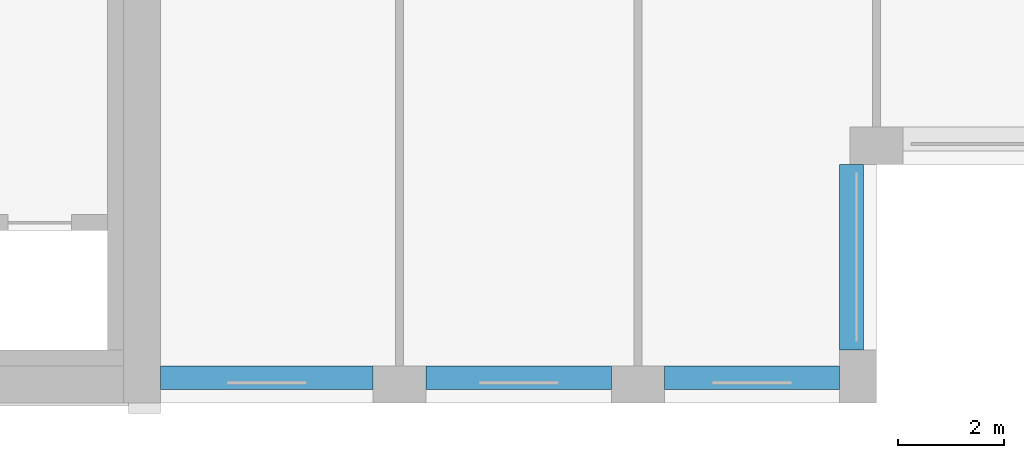
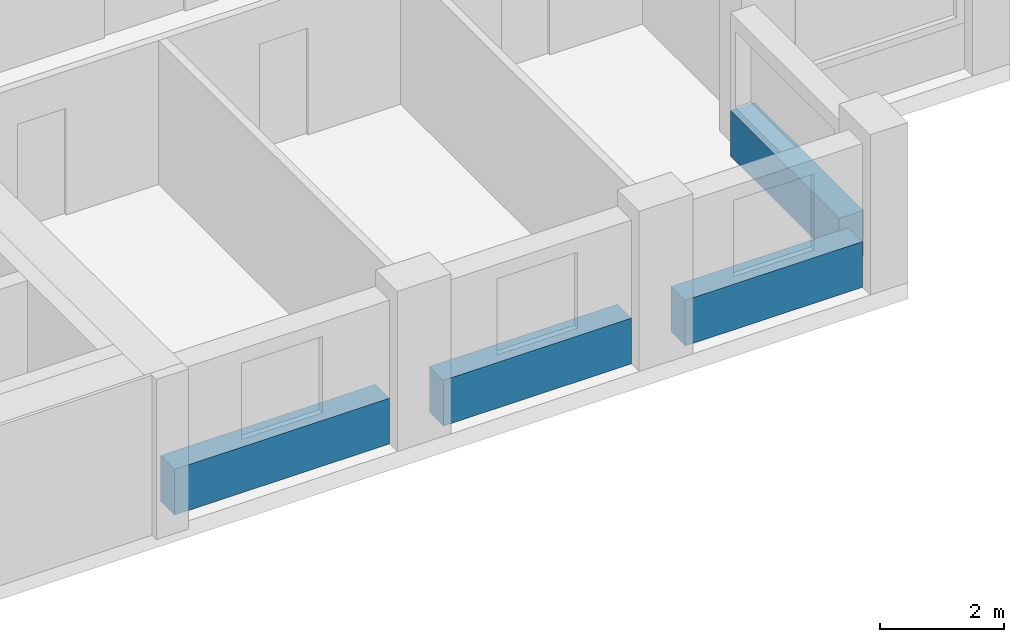
# One storey, part 3 of 15: 4 beams.
"""IFC4 building model written with IfcOpenShell, lengths in metres."""

import ifcopenshell
import ifcopenshell.guid

model = None  # the IFC model being written
_history = None  # IfcOwnerHistory: only IFC2X3 demands one
_inside = {}  # id of a spatial element -> (the spatial element, [elements in it])
_under = {}  # id of a project, library or spatial element -> (it, [spatial elements below it])
_declared = {}  # id of a project -> (the project, [libraries it declares])
_typed = {}  # id of a type object -> (the type object, [elements of that type])
_made_of = {}  # id of a material, layer set ... -> (it, [elements and type objects made of it])


def new_model(schema):
    """Start an empty IFC model of exactly this schema.

    Asked for "IFC4X3", IfcOpenShell would pick the latest addendum, in which some entities
    have other attributes; the version numbers below select the first issue.
    IFC2X3 requires an IfcOwnerHistory on every rooted entity: one is made here for all.
    """
    global model, _history
    if schema == "IFC4X3":
        model = ifcopenshell.file(schema_version=(4, 3, 0, 0))
    else:
        model = ifcopenshell.file(schema=schema)
    _inside.clear()
    _under.clear()
    _declared.clear()
    _typed.clear()
    _made_of.clear()
    _history = None
    if model.schema == "IFC2X3":
        org = make("IfcOrganization", Name="unknown")
        user = make(
            "IfcPersonAndOrganization",
            ThePerson=make("IfcPerson", FamilyName="unknown"),
            TheOrganization=org,
        )
        app = make(
            "IfcApplication",
            ApplicationDeveloper=org,
            Version="unknown",
            ApplicationFullName="unknown",
            ApplicationIdentifier="unknown",
        )
        _history = make(
            "IfcOwnerHistory",
            OwningUser=user,
            OwningApplication=app,
            ChangeAction="ADDED",
            CreationDate=0,
        )
    return model


def make(cls, **values):
    """One entity of the class cls with the attributes given. An attribute that is None is left unset."""
    return model.create_entity(
        cls, **{name: value for name, value in values.items() if value is not None}
    )


def rooted(cls, **values):
    """An entity with a GlobalId (a new one), such as an element, a storey or a relation."""
    return make(cls, GlobalId=ifcopenshell.guid.new(), OwnerHistory=_history, **values)


def si_unit(unit_type, name, prefix=None):
    """IfcSIUnit, for example si_unit("LENGTHUNIT", "METRE", prefix="MILLI")."""
    return make("IfcSIUnit", UnitType=unit_type, Prefix=prefix, Name=name)


def assignment(units):
    """IfcUnitAssignment: the units of a project."""
    return None if units is None else make("IfcUnitAssignment", Units=units)


def point(xyz):
    """IfcCartesianPoint."""
    return None if xyz is None else make("IfcCartesianPoint", Coordinates=xyz)


def direction(xyz):
    """IfcDirection."""
    return None if xyz is None else make("IfcDirection", DirectionRatios=xyz)


def frame(location, z_axis=None, x_axis=None):
    """IfcAxis2Placement3D, a coordinate frame: its origin and axes. An axis left out is left unset."""
    return make(
        "IfcAxis2Placement3D",
        Location=point(location),
        Axis=direction(z_axis),
        RefDirection=direction(x_axis),
    )


def frame_2d(location, x_axis=None):
    """IfcAxis2Placement2D, a coordinate frame in the plane: its origin and x axis."""
    return make(
        "IfcAxis2Placement2D", Location=point(location), RefDirection=direction(x_axis)
    )


def origin():
    """The frame at (0, 0, 0) with its axes left unset."""
    return frame((0.0, 0.0, 0.0))


def origin_2d():
    """The frame at (0, 0) in the plane with its x axis left unset."""
    return frame_2d((0.0, 0.0))


def place(relative_to, where):
    """IfcLocalPlacement: puts the frame where relative to a parent placement (None: the world)."""
    return make(
        "IfcLocalPlacement", PlacementRelTo=relative_to, RelativePlacement=where
    )


def context(
    kind, dimensions, precision=None, world=None, true_north=None, identifier=None
):
    """IfcGeometricRepresentationContext, for example the 3D "Model" context."""
    return make(
        "IfcGeometricRepresentationContext",
        ContextIdentifier=identifier,
        ContextType=kind,
        CoordinateSpaceDimension=dimensions,
        Precision=precision,
        WorldCoordinateSystem=world,
        TrueNorth=true_north,
    )


def subcontext(parent, identifier, kind, view, scale=None):
    """IfcGeometricRepresentationSubContext, for example "Body" below "Model"."""
    return make(
        "IfcGeometricRepresentationSubContext",
        ContextIdentifier=identifier,
        ContextType=kind,
        ParentContext=parent,
        TargetScale=scale,
        TargetView=view,
    )


def project(units=None, contexts=None):
    """IfcProject with its units and contexts."""
    return rooted(
        "IfcProject",
        Name="project",
        RepresentationContexts=contexts,
        UnitsInContext=assignment(units),
    )


def spatial(cls, under=None, at=None, **own):
    """A site, building, storey or space (cls), placed at a placement, below another one or the project."""
    s = rooted(cls, ObjectPlacement=at, **own)
    if under is not None:
        _under.setdefault(under.id(), (under, []))[1].append(s)
    return s


def profile(cls, at=None, kind="AREA", **sizes):
    """A parametric profile (cls). Its sizes go by their IFC names, for example OverallWidth=200.0."""
    return make(cls, ProfileType=kind, Position=at, **sizes)


def rectangle(**sizes):
    """IfcRectangleProfileDef."""
    return profile("IfcRectangleProfileDef", **sizes)


def extrude(swept, where, along, depth):
    """IfcExtrudedAreaSolid: the profile swept, set in the frame where, extruded along a direction by depth."""
    return make(
        "IfcExtrudedAreaSolid",
        SweptArea=swept,
        Position=where,
        ExtrudedDirection=direction(along),
        Depth=depth,
    )


def shape(context_of_items, identifier, shape_type, items):
    """IfcShapeRepresentation: the items that make up one representation, for example the "Body"."""
    return make(
        "IfcShapeRepresentation",
        ContextOfItems=context_of_items,
        RepresentationIdentifier=identifier,
        RepresentationType=shape_type,
        Items=items,
    )


def material(Name=None, Category=None):
    """IfcMaterial."""
    return make("IfcMaterial", Name=Name, Category=Category)


def material_profile(
    of_material, cross_section, Name=None, Category=None, Priority=None
):
    """IfcMaterialProfile: a cross section and its material."""
    return make(
        "IfcMaterialProfile",
        Name=Name,
        Material=of_material,
        Profile=cross_section,
        Priority=Priority,
        Category=Category,
    )


def profile_set(profiles, Name=None, composite=None):
    """IfcMaterialProfileSet."""
    return make(
        "IfcMaterialProfileSet",
        Name=Name,
        MaterialProfiles=profiles,
        CompositeProfile=composite,
    )


def made_of(thing, what):
    """Note that an element or type object is made of a material, layer set ...; save() writes the relation."""
    if what is not None:
        _made_of.setdefault(what.id(), (what, []))[1].append(thing)
    return thing


def type_object(cls, material=None, **own):
    """A type object (cls), such as IfcWallType, which elements share."""
    return made_of(rooted(cls, **own), material)


def element(
    cls,
    number,
    at=None,
    inside=None,
    cuts=None,
    type_object=None,
    material=None,
    context=None,
    identifier="Body",
    shape_type=None,
    held_by="IfcProductDefinitionShape",
    body=None,
    shapes=None,
    **own,
):
    """One element of the class cls, such as IfcWall. Its Tag is "e" and its number.

    at: its placement. inside: the storey or other place that contains it. cuts: it is an
    opening in that element (IfcRelVoidsElement). A single representation is given by context,
    identifier, shape_type and body (its items); several are given by shapes. held_by: the class
    of the entity that holds the representations. save() writes the other relations.
    """
    e = rooted(cls, Tag="e%d" % number, ObjectPlacement=at, **own)
    if body is not None:
        shapes = [shape(context, identifier, shape_type, body)]
    if shapes is not None:
        e.Representation = make(held_by, Representations=shapes)
    if inside is not None:
        _inside.setdefault(inside.id(), (inside, []))[1].append(e)
    if cuts is not None:
        rooted(
            "IfcRelVoidsElement", RelatingBuildingElement=cuts, RelatedOpeningElement=e
        )
    if type_object is not None:
        _typed.setdefault(type_object.id(), (type_object, []))[1].append(e)
    return made_of(e, material)


def aggregate(whole, parts):
    """IfcRelAggregates: a whole, such as a stair, and the parts it consists of."""
    return rooted("IfcRelAggregates", RelatingObject=whole, RelatedObjects=parts)


def save(model, path):
    """Write the relations noted so far, then the file.

    IfcRelAggregates (storeys below a building ...), IfcRelContainedInSpatialStructure (elements
    in a storey), IfcRelDefinesByType, IfcRelAssociatesMaterial and IfcRelDeclares: one each for
    every whole, place, type object, material and project.
    """
    for whole, parts in _under.values():
        aggregate(whole, parts)
    for where, things in _inside.values():
        rooted(
            "IfcRelContainedInSpatialStructure",
            RelatedElements=things,
            RelatingStructure=where,
        )
    for kind, things in _typed.values():
        rooted("IfcRelDefinesByType", RelatedObjects=things, RelatingType=kind)
    for what, things in _made_of.values():
        rooted("IfcRelAssociatesMaterial", RelatedObjects=things, RelatingMaterial=what)
    for by, libraries in _declared.values():
        rooted("IfcRelDeclares", RelatingContext=by, RelatedDefinitions=libraries)
    model.write(path)


model = new_model("IFC4")

# Units and contexts
model_context = context("Model", 3, precision=1e-05, world=origin(), true_north=direction((0.0, 1.0)))
body_context = subcontext(model_context, "Body", "Model", "MODEL_VIEW")
ifc_project = project(units=[si_unit("LENGTHUNIT", "METRE"), si_unit("AREAUNIT", "SQUARE_METRE"), si_unit("VOLUMEUNIT", "CUBIC_METRE"), si_unit("PLANEANGLEUNIT", "RADIAN"), si_unit("MASSUNIT", "GRAM", prefix="KILO")], contexts=[model_context])

# Site, building, storey
site_placement = place(None, origin())
site = spatial("IfcSite", under=ifc_project, at=site_placement, CompositionType="ELEMENT")
building_placement = place(site_placement, origin())
building = spatial("IfcBuilding", under=site, at=building_placement, Name="Brigalow Station Residences", CompositionType="ELEMENT")
storey_placement = place(building_placement, frame((0.0, 0.0, 150.75)))
storey = spatial("IfcBuildingStorey", under=building, at=storey_placement, Name="L43", CompositionType="ELEMENT", Elevation=150.75)

# Beams
ifc_material = material(Name="Concrete C50", Category="concrete")
ifc_material_profile = material_profile(ifc_material, rectangle(XDim=0.449951171875, YDim=0.89990234375, at=origin_2d()), Name="RC450x900")
ifc_profile_set = profile_set([ifc_material_profile], Name="Concrete C50")
beam_type = type_object("IfcBeamType", Name="SPANDREL BEAM 450x900 C50", PredefinedType="SPANDREL", material=ifc_profile_set)
beam_1_placement = place(storey_placement, frame((54.0, 0.47509765625, 0.449951171875), z_axis=(1.0, 0.0, 0.0), x_axis=(0.0, 1.0, 0.0)))
element("IfcBeam", 1, at=beam_1_placement, inside=storey, type_object=beam_type, Name="L43/spandrel/W-L43-4", PredefinedType="SPANDREL", context=body_context, shape_type="SweptSolid", body=[
    extrude(rectangle(XDim=0.449951171875, YDim=0.89990234375, at=origin_2d()), origin(), (0.0, 0.0, 1.0), 4.0),
])
beam_2_placement = place(storey_placement, frame((59.0, 0.47509765625, 0.449951171875), z_axis=(1.0, 0.0, 0.0), x_axis=(0.0, 1.0, 0.0)))
element("IfcBeam", 2, at=beam_2_placement, inside=storey, type_object=beam_type, Name="L43/spandrel/W-L43-5", PredefinedType="SPANDREL", context=body_context, shape_type="SweptSolid", body=[
    extrude(rectangle(XDim=0.449951171875, YDim=0.89990234375, at=origin_2d()), origin(), (0.0, 0.0, 1.0), 3.5),
])
beam_3_placement = place(storey_placement, frame((63.5, 0.47509765625, 0.449951171875), z_axis=(1.0, 0.0, 0.0), x_axis=(0.0, 1.0, 0.0)))
element("IfcBeam", 3, at=beam_3_placement, inside=storey, type_object=beam_type, Name="L43/spandrel/W-L43-6", PredefinedType="SPANDREL", context=body_context, shape_type="SweptSolid", body=[
    extrude(rectangle(XDim=0.449951171875, YDim=0.89990234375, at=origin_2d()), origin(), (0.0, 0.0, 1.0), 3.300048828125),
])
beam_4_placement = place(storey_placement, frame((67.02490234375, 1.0, 0.449951171875), z_axis=(0.0, 1.0, 0.0), x_axis=(-1.0, 0.0, 0.0)))
element("IfcBeam", 4, at=beam_4_placement, inside=storey, type_object=beam_type, Name="L43/spandrel/W-L43-7", PredefinedType="SPANDREL", context=body_context, shape_type="SweptSolid", body=[
    extrude(rectangle(XDim=0.449951171875, YDim=0.89990234375, at=origin_2d()), origin(), (0.0, 0.0, 1.0), 3.5),
])

save(model, "model.ifc")
